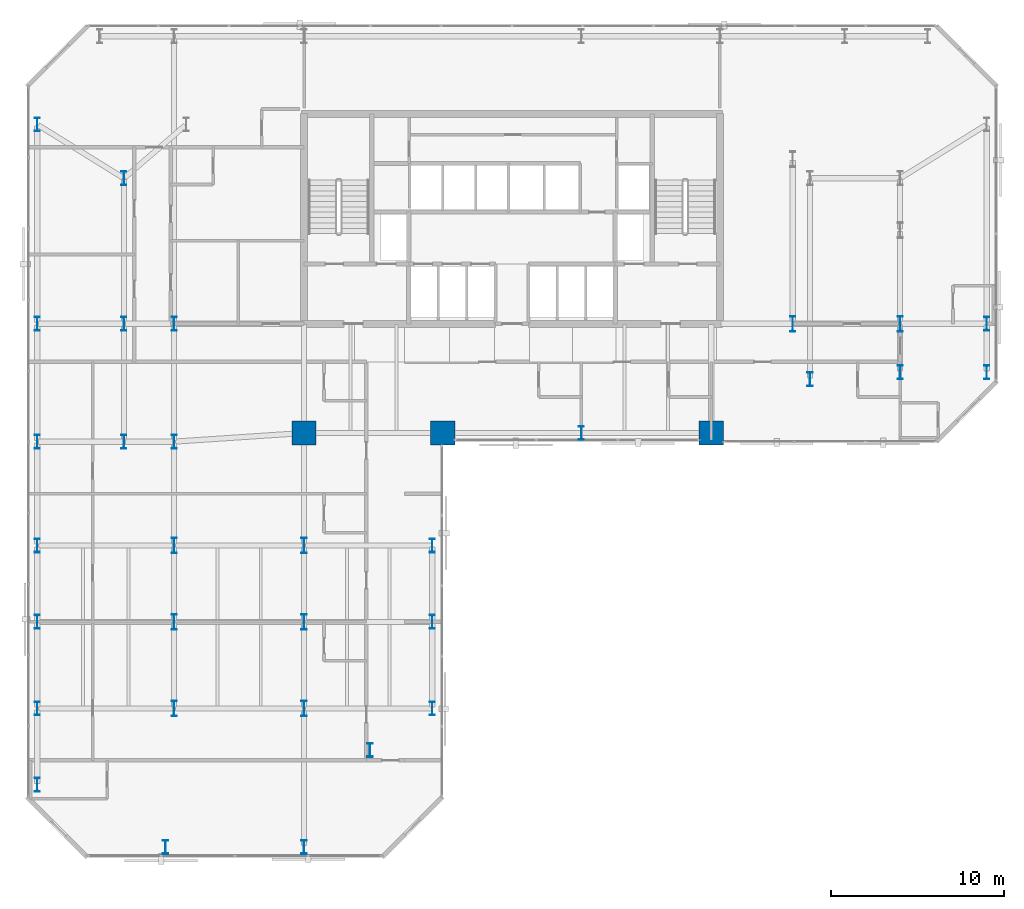
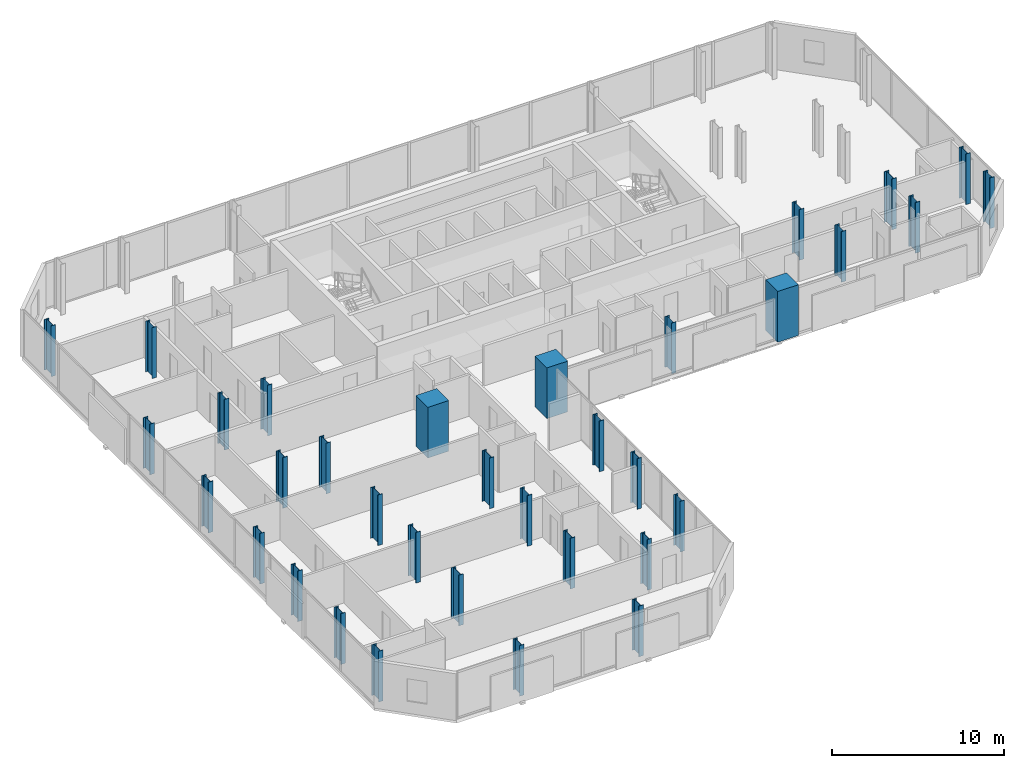
# One storey, part 1 of 33: 34 columns.
"""IFC4 building model written with IfcOpenShell, lengths in metres."""

from ifc_helpers import new_model, si_unit, direction, frame, origin, origin_2d, place, context, subcontext, project, spatial, rectangle, i_section, extrude, material, material_profile, profile_set, type_object, element, save


model = new_model("IFC4")

# Units and contexts
model_context = context("Model", 3, precision=1e-05, world=origin(), true_north=direction((0.0, 1.0)))
body_context = subcontext(model_context, "Body", "Model", "MODEL_VIEW")
ifc_project = project(units=[si_unit("LENGTHUNIT", "METRE"), si_unit("AREAUNIT", "SQUARE_METRE"), si_unit("VOLUMEUNIT", "CUBIC_METRE"), si_unit("PLANEANGLEUNIT", "RADIAN"), si_unit("MASSUNIT", "GRAM", prefix="KILO")], contexts=[model_context])

# Site, building, storey
site_placement = place(None, origin())
site = spatial("IfcSite", under=ifc_project, at=site_placement, CompositionType="ELEMENT")
building_placement = place(site_placement, origin())
building = spatial("IfcBuilding", under=site, at=building_placement, Name="Catumbela Crestline Tower", CompositionType="ELEMENT")
storey_placement = place(building_placement, frame((0.0, 0.0, 47.4)))
storey = spatial("IfcBuildingStorey", under=building, at=storey_placement, Name="L11", CompositionType="ELEMENT", Elevation=47.4)

# Columns
ifc_material_1 = material(Name="Concrete C60/75", Category="concrete")
ifc_material_profile_1 = material_profile(ifc_material_1, rectangle(XDim=1.4, YDim=1.4, at=origin_2d()), Name="RC 1400x1400")
ifc_profile_set_1 = profile_set([ifc_material_profile_1], Name="Concrete C60/75")
column_type_1 = type_object("IfcColumnType", Name="C-RC1400-C60", PredefinedType="COLUMN", material=ifc_profile_set_1)
for number, where, z_axis, x_axis, name in (
    (1, (16.0, 24.5, 0.0), (0.0, 0.0, 1.0), (1.0, 0.0, 0.0), "L11 Column C-16-24 (RC 1400x1400)"),
    (2, (24.0, 24.5, 0.0), (0.0, 0.0, 1.0), (1.0, 0.0, 0.0), "L11 Column C-24-24 (RC 1400x1400)"),
    (3, (39.5, 24.5, 0.0), (0.0, 0.0, 1.0), (1.0, 0.0, 0.0), "L11 Column C-40-24 (RC 1400x1400)"),
):
    element("IfcColumn", number, at=place(storey_placement, frame(where, z_axis=z_axis, x_axis=x_axis)), inside=storey, type_object=column_type_1, Name=name, PredefinedType="COLUMN", context=body_context, shape_type="SweptSolid", body=[
        extrude(rectangle(XDim=1.4, YDim=1.4, at=origin_2d()), origin(), (0.0, 0.0, 1.0), 3.6),
    ])
ifc_material_2 = material(Name="Structural steel S460M", Category="steel")
ifc_material_profile_2 = material_profile(ifc_material_2, i_section(OverallWidth=0.3, OverallDepth=0.8, WebThickness=0.0175, FlangeThickness=0.033, FilletRadius=0.03, at=origin_2d()), Name="HEB 800")
ifc_profile_set_2 = profile_set([ifc_material_profile_2], Name="Structural steel S460M")
column_type_2 = type_object("IfcColumnType", Name="C-ST-HEB800", PredefinedType="COLUMN", material=ifc_profile_set_2)
for number, where, z_axis, x_axis, name in (
    (4, (8.5, 24.0, 0.0), (0.0, 0.0, 1.0), (1.0, 0.0, 0.0), "L11 Column C-08-24 (HEB 800)"),
    (5, (32.0, 24.5, 0.0), (0.0, 0.0, 1.0), (1.0, 0.0, 0.0), "L11 Column C-32-24 (HEB 800)"),
    (6, (5.6, 24.0, 0.0), (0.0, 0.0, 1.0), (1.0, 0.0, 0.0), "L11 Column C-05-24 (HEB 800)"),
    (7, (5.6, 30.8, 0.0), (0.0, 0.0, 1.0), (1.0, 0.0, 0.0), "L11 Column C-05-31 (HEB 800)"),
    (8, (5.6, 39.2, 0.0), (0.0, 0.0, 1.0), (1.0, 0.0, 0.0), "L11 Column C-05-43 (HEB 800)"),
    (9, (8.5, 30.8, 0.0), (0.0, 0.0, 1.0), (1.0, 0.0, 0.0), "L11 Column C-08-31 (HEB 800)"),
    (10, (45.2, 27.6, 0.0), (0.0, 0.0, 1.0), (1.0, 0.0, 0.0), "L11 Column C-46-24 (HEB 800)"),
    (11, (0.6, 24.0, 0.0), (0.0, 0.0, 1.0), (1.0, 0.0, 0.0), "L11 Column C-00-24 (HEB 800)"),
    (12, (0.6, 30.8, 0.0), (0.0, 0.0, 1.0), (1.0, 0.0, 0.0), "L11 Column C-00-31 (HEB 800)"),
    (13, (0.6, 42.3, 0.0), (0.0, 0.0, 1.0), (1.0, 0.0, 0.0), "L11 Column C-00-43 (HEB 800)"),
    (14, (50.4, 28.0, 0.0), (0.0, 0.0, 1.0), (1.0, 0.0, 0.0), "L11 Column C-51-24 (HEB 800)"),
    (15, (55.4, 28.0, 0.0), (0.0, 0.0, 1.0), (1.0, 0.0, 0.0), "L11 Column C-56-24 (HEB 800)"),
    (16, (55.4, 30.8, 0.0), (0.0, 0.0, 1.0), (1.0, 0.0, 0.0), "L11 Column C-56-31 (HEB 800)"),
    (17, (0.6, 8.6, 0.0), (0.0, 0.0, 1.0), (1.0, 0.0, 0.0), "L11 Column C-00-05 (HEB 800)"),
    (18, (0.6, 13.6, 0.0), (0.0, 0.0, 1.0), (1.0, 0.0, 0.0), "L11 Column C-00-10 (HEB 800)"),
    (19, (0.6, 18.0, 0.0), (0.0, 0.0, 1.0), (1.0, 0.0, 0.0), "L11 Column C-00-16 (HEB 800)"),
    (20, (0.6, 4.2, 0.0), (0.0, 0.0, 1.0), (1.0, 0.0, 0.0), "L11 Column C-00-03 (HEB 800)"),
    (21, (8.0, 0.6, 0.0), (0.0, 0.0, 1.0), (1.0, 0.0, 0.0), "L11 Column C-08-00 (HEB 800)"),
    (22, (16.0, 0.6, 0.0), (0.0, 0.0, 1.0), (1.0, 0.0, 0.0), "L11 Column C-16-00 (HEB 800)"),
    (23, (19.8, 6.2, 0.0), (0.0, 0.0, 1.0), (1.0, 0.0, 0.0), "L11 Column C-24-05 (HEB 800)"),
    (24, (23.4, 8.6, 0.0), (0.0, 0.0, 1.0), (1.0, 0.0, 0.0), "L11 Column C-23-08 (HEB 800)"),
    (25, (23.4, 13.6, 0.0), (0.0, 0.0, 1.0), (1.0, 0.0, 0.0), "L11 Column C-24-10 (HEB 800)"),
    (26, (23.4, 18.0, 0.0), (0.0, 0.0, 1.0), (1.0, 0.0, 0.0), "L11 Column C-24-16 (HEB 800)"),
):
    element("IfcColumn", number, at=place(storey_placement, frame(where, z_axis=z_axis, x_axis=x_axis)), inside=storey, type_object=column_type_2, Name=name, PredefinedType="COLUMN", context=body_context, shape_type="SweptSolid", body=[
        extrude(i_section(OverallWidth=0.3, OverallDepth=0.8, WebThickness=0.0175, FlangeThickness=0.033, FilletRadius=0.03, at=origin_2d()), origin(), (0.0, 0.0, 1.0), 3.6),
    ])
ifc_material_profile_3 = material_profile(ifc_material_2, i_section(OverallWidth=0.3, OverallDepth=0.9, WebThickness=0.0185, FlangeThickness=0.035, FilletRadius=0.03, at=origin_2d()), Name="HEB 900")
ifc_profile_set_3 = profile_set([ifc_material_profile_3], Name="Structural steel S460M")
column_type_3 = type_object("IfcColumnType", Name="C-ST-HEB900", PredefinedType="COLUMN", material=ifc_profile_set_3)
for number, where, z_axis, x_axis, name in (
    (27, (8.5, 8.6, 0.0), (0.0, 0.0, 1.0), (1.0, 0.0, 0.0), "L11 Column CT-05-05 (HEB 900)"),
    (28, (16.0, 8.6, 0.0), (0.0, 0.0, 1.0), (1.0, 0.0, 0.0), "L11 Column CT-14-05 (HEB 900)"),
    (29, (8.5, 13.6, 0.0), (0.0, 0.0, 1.0), (1.0, 0.0, 0.0), "L11 Column CT-05-10 (HEB 900)"),
    (30, (16.0, 13.6, 0.0), (0.0, 0.0, 1.0), (1.0, 0.0, 0.0), "L11 Column CT-14-10 (HEB 900)"),
    (31, (8.5, 18.0, 0.0), (0.0, 0.0, 1.0), (1.0, 0.0, 0.0), "L11 Column CT-05-16 (HEB 900)"),
    (32, (16.0, 18.0, 0.0), (0.0, 0.0, 1.0), (1.0, 0.0, 0.0), "L11 Column CT-14-16 (HEB 900)"),
    (33, (44.2, 30.8, 0.0), (0.0, 0.0, 1.0), (1.0, 0.0, 0.0), "L11 Column CT-46-31 (HEB 900)"),
    (34, (50.4, 30.8, 0.0), (0.0, 0.0, 1.0), (1.0, 0.0, 0.0), "L11 Column CT-51-31 (HEB 900)"),
):
    element("IfcColumn", number, at=place(storey_placement, frame(where, z_axis=z_axis, x_axis=x_axis)), inside=storey, type_object=column_type_3, Name=name, PredefinedType="COLUMN", context=body_context, shape_type="SweptSolid", body=[
        extrude(i_section(OverallWidth=0.3, OverallDepth=0.9, WebThickness=0.0185, FlangeThickness=0.035, FilletRadius=0.03, at=origin_2d()), origin(), (0.0, 0.0, 1.0), 3.6),
    ])

save(model, "model.ifc")
